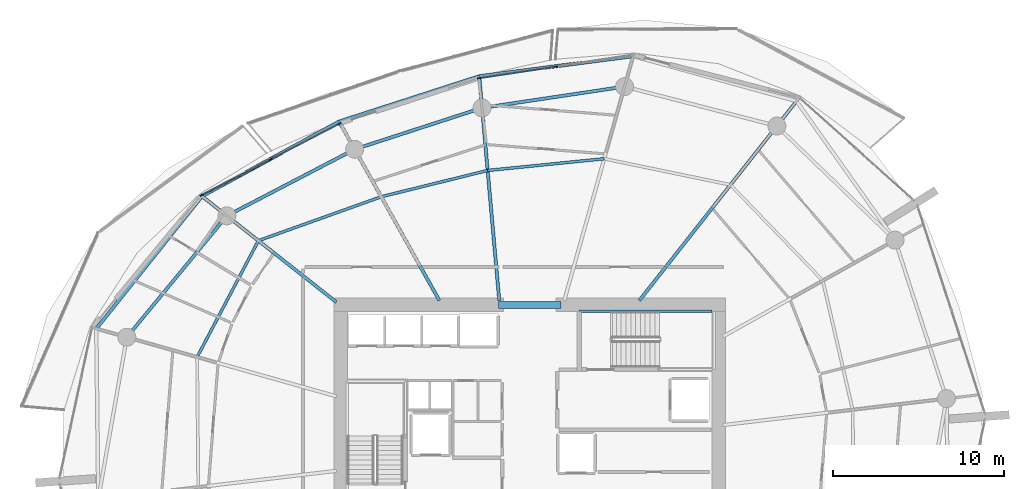
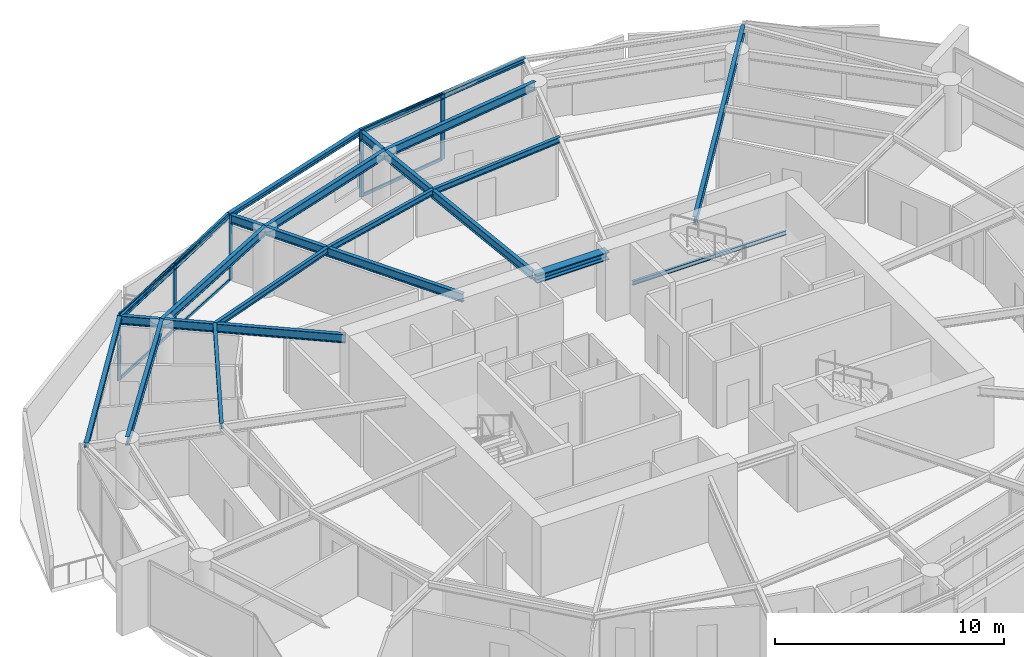
# One storey, part 8 of 20: 18 beams, 11 members, 2 elements without a shape of their own.
"""IFC4 building model written with IfcOpenShell, lengths in metres."""

from ifc_helpers import new_model, si_unit, direction, frame, origin, origin_2d, place, context, subcontext, project, spatial, rectangle, i_section, extrude, material, layer, layer_set, material_profile, profile_set, type_object, element, aggregate, save


model = new_model("IFC4")

# Units and contexts
model_context = context("Model", 3, precision=1e-05, world=origin(), true_north=direction((0.0, 1.0)))
body_context = subcontext(model_context, "Body", "Model", "MODEL_VIEW")
ifc_project = project(units=[si_unit("LENGTHUNIT", "METRE"), si_unit("AREAUNIT", "SQUARE_METRE"), si_unit("VOLUMEUNIT", "CUBIC_METRE"), si_unit("PLANEANGLEUNIT", "RADIAN"), si_unit("MASSUNIT", "GRAM", prefix="KILO")], contexts=[model_context])

# Site, building, storey
site_placement = place(None, origin())
site = spatial("IfcSite", under=ifc_project, at=site_placement, CompositionType="ELEMENT")
building_placement = place(site_placement, origin())
building = spatial("IfcBuilding", under=site, at=building_placement, Name="Kazma Halo Residences", CompositionType="ELEMENT")
storey_placement = place(building_placement, frame((0.0, 0.0, 169.050048828125)))
storey = spatial("IfcBuildingStorey", under=building, at=storey_placement, Name="L42", CompositionType="ELEMENT", Elevation=169.050048828125)

# Beams
ifc_material_1 = material(Name="Steel S355", Category="steel")
ifc_material_profile_1 = material_profile(ifc_material_1, i_section(OverallWidth=0.201904296875, OverallDepth=0.2470703125, WebThickness=0.00732421875, FlangeThickness=0.010986328125, FilletRadius=0.011962890625, at=origin_2d()), Name="W250x49.1")
ifc_profile_set_1 = profile_set([ifc_material_profile_1], Name="Steel S355")
beam_type_1 = type_object("IfcBeamType", Name="BM-BAL-CANT", PredefinedType="BEAM", material=ifc_profile_set_1)
beam_1_placement = place(storey_placement, frame((54.459228515625, 64.90234375, 3.37646484375), z_axis=(-0.991489228614, -0.130188745839, 0.0), x_axis=(0.130188745839, -0.991489228614, 0.0)))
element("IfcBeam", 1, at=beam_1_placement, inside=storey, type_object=beam_type_1, Name="L42 wave-balcony tie beam 03", PredefinedType="BEAM", context=body_context, shape_type="SweptSolid", body=[
    extrude(i_section(OverallWidth=0.201904296875, OverallDepth=0.2470703125, WebThickness=0.00732421875, FlangeThickness=0.010986328125, FilletRadius=0.011962890625, at=origin_2d()), origin(), (0.0, 0.0, 1.0), 9.053955078125),
])
beam_2_placement = place(storey_placement, frame((45.482421875, 63.7236328125, 3.37646484375), z_axis=(-0.951458235255, -0.307777885115, 0.0), x_axis=(0.307777885115, -0.951458235255, 0.0)))
element("IfcBeam", 2, at=beam_2_placement, inside=storey, type_object=beam_type_1, Name="L42 wave-balcony tie beam 04", PredefinedType="BEAM", context=body_context, shape_type="SweptSolid", body=[
    extrude(i_section(OverallWidth=0.201904296875, OverallDepth=0.2470703125, WebThickness=0.00732421875, FlangeThickness=0.010986328125, FilletRadius=0.011962890625, at=origin_2d()), origin(), (0.0, 0.0, 1.0), 8.585205078125),
])
beam_3_placement = place(storey_placement, frame((37.31396484375, 61.081298828125, 3.37646484375), z_axis=(-0.878572913315, -0.477608245312, 0.0), x_axis=(0.477608245312, -0.878572913315, 0.0)))
element("IfcBeam", 3, at=beam_3_placement, inside=storey, type_object=beam_type_1, Name="L42 wave-balcony tie beam 05", PredefinedType="BEAM", context=body_context, shape_type="SweptSolid", body=[
    extrude(i_section(OverallWidth=0.201904296875, OverallDepth=0.2470703125, WebThickness=0.00732421875, FlangeThickness=0.010986328125, FilletRadius=0.011962890625, at=origin_2d()), origin(), (0.0, 0.0, 1.0), 9.107177734375),
])
beam_4_placement = place(storey_placement, frame((29.312744140625, 56.731689453125, 3.37646484375), z_axis=(-0.623742400336, -0.781629975131, 0.0), x_axis=(0.781629975131, -0.623742400336, 0.0)))
element("IfcBeam", 4, at=beam_4_placement, inside=storey, type_object=beam_type_1, Name="L42 wave-balcony tie beam 06", PredefinedType="BEAM", context=body_context, shape_type="SweptSolid", body=[
    extrude(i_section(OverallWidth=0.201904296875, OverallDepth=0.2470703125, WebThickness=0.00732421875, FlangeThickness=0.010986328125, FilletRadius=0.011962890625, at=origin_2d()), origin(), (0.0, 0.0, 1.0), 9.880859375),
])
ifc_material_profile_2 = material_profile(ifc_material_1, i_section(OverallWidth=0.408935546875, OverallDepth=0.425048828125, WebThickness=0.03271484375, FlangeThickness=0.052490234375, FilletRadius=0.02001953125, at=origin_2d()), Name="W360x421")
ifc_profile_set_2 = profile_set([ifc_material_profile_2], Name="Steel S355")
beam_type_2 = type_object("IfcBeamType", Name="BM-CORE-W360H", PredefinedType="BEAM", material=ifc_profile_set_2)
beam_5_placement = place(storey_placement, frame((46.60009765625, 50.39990234375, 3.287353515625), z_axis=(1.0, 0.0, 0.0), x_axis=(0.0, 1.0, 0.0)))
element("IfcBeam", 5, at=beam_5_placement, inside=storey, type_object=beam_type_2, Name="L42 core coupling beam N", PredefinedType="BEAM", context=body_context, shape_type="SweptSolid", body=[
    extrude(i_section(OverallWidth=0.408935546875, OverallDepth=0.425048828125, WebThickness=0.03271484375, FlangeThickness=0.052490234375, FilletRadius=0.02001953125, at=origin_2d()), origin(), (0.0, 0.0, 1.0), 3.64990234375),
])
ifc_material_profile_3 = material_profile(ifc_material_1, i_section(OverallWidth=0.18994140625, OverallDepth=0.45703125, WebThickness=0.009033203125, FlangeThickness=0.014404296875, FilletRadius=0.01611328125, at=origin_2d()), Name="W460x74")
ifc_profile_set_3 = profile_set([ifc_material_profile_3], Name="Steel S355")
beam_type_3 = type_object("IfcBeamType", Name="BM-RAD-W460", PredefinedType="BEAM", material=ifc_profile_set_3)
beam_6_placement = place(storey_placement, frame((54.819091796875, 50.64990234375, 3.271484375), z_axis=(0.619094498239, 0.785316498139, 0.0), x_axis=(-0.785316498139, 0.619094498239, 0.0)))
element("IfcBeam", 6, at=beam_6_placement, inside=storey, type_object=beam_type_3, Name="L42 radial floor beam 02", PredefinedType="BEAM", context=body_context, shape_type="SweptSolid", body=[
    extrude(i_section(OverallWidth=0.18994140625, OverallDepth=0.45703125, WebThickness=0.009033203125, FlangeThickness=0.014404296875, FilletRadius=0.01611328125, at=origin_2d()), origin(), (0.0, 0.0, 1.0), 14.80517578125),
])
beam_7_placement = place(storey_placement, frame((46.64990234375, 50.64990234375, 3.271484375), z_axis=(-0.088945777727, 0.996036469525, 0.0), x_axis=(-0.996036469525, -0.088945777727, 0.0)))
element("IfcBeam", 7, at=beam_7_placement, inside=storey, type_object=beam_type_3, Name="L42 radial floor beam 04", PredefinedType="BEAM", context=body_context, shape_type="SweptSolid", body=[
    extrude(i_section(OverallWidth=0.18994140625, OverallDepth=0.45703125, WebThickness=0.009033203125, FlangeThickness=0.014404296875, FilletRadius=0.01611328125, at=origin_2d()), origin(), (0.0, 0.0, 1.0), 13.125732421875),
])
beam_8_placement = place(storey_placement, frame((43.15576171875, 50.64990234375, 3.271484375), z_axis=(-0.488617048735, 0.872498355119, 0.0), x_axis=(-0.872498355119, -0.488617048735, 0.0)))
element("IfcBeam", 8, at=beam_8_placement, inside=storey, type_object=beam_type_3, Name="L42 radial floor beam 05", PredefinedType="BEAM", context=body_context, shape_type="SweptSolid", body=[
    extrude(i_section(OverallWidth=0.18994140625, OverallDepth=0.45703125, WebThickness=0.009033203125, FlangeThickness=0.014404296875, FilletRadius=0.01611328125, at=origin_2d()), origin(), (0.0, 0.0, 1.0), 11.955810546875),
])
beam_9_placement = place(storey_placement, frame((37.14990234375, 50.553466796875, 3.271484375), z_axis=(-0.785321544409, 0.619088097032, 0.0), x_axis=(-0.619088097032, -0.785321544409, 0.0)))
element("IfcBeam", 9, at=beam_9_placement, inside=storey, type_object=beam_type_3, Name="L42 radial floor beam 06", PredefinedType="BEAM", context=body_context, shape_type="SweptSolid", body=[
    extrude(i_section(OverallWidth=0.18994140625, OverallDepth=0.45703125, WebThickness=0.009033203125, FlangeThickness=0.014404296875, FilletRadius=0.01611328125, at=origin_2d()), origin(), (0.0, 0.0, 1.0), 9.9794921875),
])
ifc_material_profile_4 = material_profile(ifc_material_1, i_section(OverallWidth=0.1650390625, OverallDepth=0.31005859375, WebThickness=0.005859375, FlangeThickness=0.009765625, FilletRadius=0.011962890625, at=origin_2d()), Name="W310x38.7")
ifc_profile_set_4 = profile_set([ifc_material_profile_4], Name="Steel S355")
beam_type_4 = type_object("IfcBeamType", Name="BM-SEC-W310B", PredefinedType="JOIST", material=ifc_profile_set_4)
beam_10_placement = place(storey_placement, frame((52.77099609375, 58.91650390625, 3.344970703125), z_axis=(-0.994979001613, -0.100083896557, 0.0), x_axis=(0.100083896557, -0.994979001613, 0.0)))
element("IfcBeam", 10, at=beam_10_placement, inside=storey, type_object=beam_type_4, Name="L42 circumferential floor joist 03", PredefinedType="JOIST", context=body_context, shape_type="SweptSolid", body=[
    extrude(i_section(OverallWidth=0.1650390625, OverallDepth=0.31005859375, WebThickness=0.005859375, FlangeThickness=0.009765625, FilletRadius=0.011962890625, at=origin_2d()), origin(), (0.0, 0.0, 1.0), 6.832763671875),
])
beam_11_placement = place(storey_placement, frame((45.97265625, 58.232666015625, 3.344970703125), z_axis=(-0.970830601663, -0.239766434004, 0.0), x_axis=(0.239766434004, -0.970830601663, 0.0)))
element("IfcBeam", 11, at=beam_11_placement, inside=storey, type_object=beam_type_4, Name="L42 circumferential floor joist 04", PredefinedType="JOIST", context=body_context, shape_type="SweptSolid", body=[
    extrude(i_section(OverallWidth=0.1650390625, OverallDepth=0.31005859375, WebThickness=0.005859375, FlangeThickness=0.009765625, FilletRadius=0.011962890625, at=origin_2d()), origin(), (0.0, 0.0, 1.0), 6.3916015625),
])
beam_12_placement = place(storey_placement, frame((39.767578125, 56.7001953125, 3.344970703125), z_axis=(-0.941534087973, -0.336917736525, 0.0), x_axis=(0.336917736525, -0.941534087973, 0.0)))
element("IfcBeam", 12, at=beam_12_placement, inside=storey, type_object=beam_type_4, Name="L42 circumferential floor joist 05", PredefinedType="JOIST", context=body_context, shape_type="SweptSolid", body=[
    extrude(i_section(OverallWidth=0.1650390625, OverallDepth=0.31005859375, WebThickness=0.005859375, FlangeThickness=0.009765625, FilletRadius=0.011962890625, at=origin_2d()), origin(), (0.0, 0.0, 1.0), 7.60791015625),
])
beam_13_placement = place(storey_placement, frame((32.6044921875, 54.136962890625, 3.344970703125), z_axis=(-0.466019257875, -0.884774576539, 0.0), x_axis=(0.884774576539, -0.466019257875, 0.0)))
element("IfcBeam", 13, at=beam_13_placement, inside=storey, type_object=beam_type_4, Name="L42 circumferential floor joist 06", PredefinedType="JOIST", context=body_context, shape_type="SweptSolid", body=[
    extrude(i_section(OverallWidth=0.1650390625, OverallDepth=0.31005859375, WebThickness=0.005859375, FlangeThickness=0.009765625, FilletRadius=0.011962890625, at=origin_2d()), origin(), (0.0, 0.0, 1.0), 7.670654296875),
])
ifc_material_profile_5 = material_profile(ifc_material_1, i_section(OverallWidth=0.18994140625, OverallDepth=0.45703125, WebThickness=0.009033203125, FlangeThickness=0.014404296875, FilletRadius=0.01611328125, at=origin_2d()), Name="W460x74")
ifc_profile_set_5 = profile_set([ifc_material_profile_5], Name="Steel S355")
beam_type_5 = type_object("IfcBeamType", Name="BM-SPN-W460", PredefinedType="BEAM", material=ifc_profile_set_5)
beam_14_placement = place(storey_placement, frame((53.95703125, 63.121826171875, 3.271484375), z_axis=(-0.989037147603, -0.147666924735, 0.0), x_axis=(0.147666924735, -0.989037147603, 0.0)))
element("IfcBeam", 14, at=beam_14_placement, inside=storey, type_object=beam_type_5, Name="L42 perimeter ring beam 03", PredefinedType="BEAM", context=body_context, shape_type="SweptSolid", body=[
    extrude(i_section(OverallWidth=0.18994140625, OverallDepth=0.45703125, WebThickness=0.009033203125, FlangeThickness=0.014404296875, FilletRadius=0.01611328125, at=origin_2d()), origin(), (0.0, 0.0, 1.0), 8.402099609375),
])
beam_15_placement = place(storey_placement, frame((45.64697265625, 61.881103515625, 3.271484375), z_axis=(-0.95105634578, -0.309017519167, 0.0), x_axis=(0.309017519167, -0.95105634578, 0.0)))
element("IfcBeam", 15, at=beam_15_placement, inside=storey, type_object=beam_type_5, Name="L42 perimeter ring beam 04", PredefinedType="BEAM", context=body_context, shape_type="SweptSolid", body=[
    extrude(i_section(OverallWidth=0.18994140625, OverallDepth=0.45703125, WebThickness=0.009033203125, FlangeThickness=0.014404296875, FilletRadius=0.01611328125, at=origin_2d()), origin(), (0.0, 0.0, 1.0), 7.811279296875),
])
beam_16_placement = place(storey_placement, frame((38.218017578125, 59.46728515625, 3.271484375), z_axis=(-0.886943099021, -0.461878706046, 0.0), x_axis=(0.461878706046, -0.886943099021, 0.0)))
element("IfcBeam", 16, at=beam_16_placement, inside=storey, type_object=beam_type_5, Name="L42 perimeter ring beam 05", PredefinedType="BEAM", context=body_context, shape_type="SweptSolid", body=[
    extrude(i_section(OverallWidth=0.18994140625, OverallDepth=0.45703125, WebThickness=0.009033203125, FlangeThickness=0.014404296875, FilletRadius=0.01611328125, at=origin_2d()), origin(), (0.0, 0.0, 1.0), 8.40234375),
])
beam_17_placement = place(storey_placement, frame((30.765625, 55.58642578125, 3.271484375), z_axis=(-0.636018723515, -0.771673624882, 0.0), x_axis=(0.771673624882, -0.636018723515, 0.0)))
element("IfcBeam", 17, at=beam_17_placement, inside=storey, type_object=beam_type_5, Name="L42 perimeter ring beam 06", PredefinedType="BEAM", context=body_context, shape_type="SweptSolid", body=[
    extrude(i_section(OverallWidth=0.18994140625, OverallDepth=0.45703125, WebThickness=0.009033203125, FlangeThickness=0.014404296875, FilletRadius=0.01611328125, at=origin_2d()), origin(), (0.0, 0.0, 1.0), 9.175048828125),
])
ifc_material_profile_6 = material_profile(ifc_material_1, i_section(OverallWidth=0.133056640625, OverallDepth=0.20703125, WebThickness=0.005859375, FlangeThickness=0.00830078125, FilletRadius=0.010009765625, at=origin_2d()), Name="W200x26.6")
ifc_profile_set_6 = profile_set([ifc_material_profile_6], Name="Steel S355")
beam_type_6 = type_object("IfcBeamType", Name="BM-TRIM-W200", PredefinedType="BEAM", material=ifc_profile_set_6)
beam_18_placement = place(storey_placement, frame((51.31005859375, 50.02001953125, 1.570068359375), z_axis=(1.0, 0.0, 0.0), x_axis=(0.0, 1.0, 0.0)))
element("IfcBeam", 18, at=beam_18_placement, inside=storey, type_object=beam_type_6, Name="L42 ST-02 landing north wall ledger", PredefinedType="BEAM", context=body_context, shape_type="SweptSolid", body=[
    extrude(i_section(OverallWidth=0.133056640625, OverallDepth=0.20703125, WebThickness=0.005859375, FlangeThickness=0.00830078125, FilletRadius=0.010009765625, at=origin_2d()), origin(), (0.0, 0.0, 1.0), 7.760009765625),
])

# Curtain wall, members
ifc_material_2 = material(Name="Aluminium AW-6063 T6 and Triple-Silver Low-E Glass", Category="aluminium")
ifc_layer = layer(ifc_material_2, 0.219970703125)
ifc_layer_set = layer_set([ifc_layer], Name="Aluminium AW-6063 T6 and Triple-Silver Low-E Glass")
curtain_wall_type = type_object("IfcCurtainWallType", Name="CW-SYS-4", PredefinedType="NOTDEFINED", material=ifc_layer_set)
curtain_wall_1_placement = place(storey_placement, origin())
curtain_wall_1 = element("IfcCurtainWall", 19, at=curtain_wall_1_placement, inside=storey, type_object=curtain_wall_type, Name="L42 unitised curtain wall B03", PredefinedType="NOTDEFINED")
ifc_material_3 = material(Name="Aluminium AW-6063 T6", Category="aluminium")
ifc_material_profile_7 = material_profile(ifc_material_3, rectangle(XDim=0.074951171875, YDim=0.219970703125, at=origin_2d()), Name="CWM-75x220")
ifc_profile_set_7 = profile_set([ifc_material_profile_7], Name="Aluminium AW-6063 T6")
member_type_1 = type_object("IfcMemberType", Name="CW-SYS-4-MUL", PredefinedType="MULLION", material=ifc_profile_set_7)
member_1_placement = place(storey_placement, frame((49.960205078125, 64.28857421875, 0.0), z_axis=(0.0, 0.0, 1.0), x_axis=(0.148821022686, -0.988864148004, 0.0)))
member_1 = element("IfcMember", 20, at=member_1_placement, type_object=member_type_1, Name="CWS-4 mullion 2", PredefinedType="MULLION", context=body_context, shape_type="SweptSolid", body=[
    extrude(rectangle(XDim=0.074951171875, YDim=0.219970703125, at=origin_2d()), origin(), (0.0, 0.0, 1.0), 3.5),
])
member_2_placement = place(storey_placement, frame((45.4794921875, 63.6142578125, 0.0), z_axis=(0.0, 0.0, 1.0), x_axis=(0.148821022686, -0.988864148004, 0.0)))
member_2 = element("IfcMember", 21, at=member_2_placement, type_object=member_type_1, Name="CWS-4 mullion 3", PredefinedType="MULLION", context=body_context, shape_type="SweptSolid", body=[
    extrude(rectangle(XDim=0.074951171875, YDim=0.219970703125, at=origin_2d()), origin(), (0.0, 0.0, 1.0), 3.5),
])

curtain_wall_2_placement = place(storey_placement, origin())
curtain_wall_2 = element("IfcCurtainWall", 22, at=curtain_wall_2_placement, inside=storey, type_object=curtain_wall_type, Name="L42 unitised curtain wall B05", PredefinedType="NOTDEFINED")
member_3_placement = place(storey_placement, frame((37.33447265625, 60.9677734375, 0.0), z_axis=(0.0, 0.0, 1.0), x_axis=(0.460837484552, -0.887484542306, 0.0)))
member_3 = element("IfcMember", 23, at=member_3_placement, type_object=member_type_1, Name="CWS-4 mullion 1", PredefinedType="MULLION", context=body_context, shape_type="SweptSolid", body=[
    extrude(rectangle(XDim=0.074951171875, YDim=0.219970703125, at=origin_2d()), origin(), (0.0, 0.0, 1.0), 3.5),
])
member_4_placement = place(storey_placement, frame((33.313232421875, 58.879638671875, 0.0), z_axis=(0.0, 0.0, 1.0), x_axis=(0.460837484552, -0.887484542306, 0.0)))
member_4 = element("IfcMember", 24, at=member_4_placement, type_object=member_type_1, Name="CWS-4 mullion 2", PredefinedType="MULLION", context=body_context, shape_type="SweptSolid", body=[
    extrude(rectangle(XDim=0.074951171875, YDim=0.219970703125, at=origin_2d()), origin(), (0.0, 0.0, 1.0), 3.5),
])
member_5_placement = place(storey_placement, frame((29.2919921875, 56.791748046875, 0.0), z_axis=(0.0, 0.0, 1.0), x_axis=(0.460837484552, -0.887484542306, 0.0)))
member_5 = element("IfcMember", 25, at=member_5_placement, type_object=member_type_1, Name="CWS-4 mullion 3", PredefinedType="MULLION", context=body_context, shape_type="SweptSolid", body=[
    extrude(rectangle(XDim=0.074951171875, YDim=0.219970703125, at=origin_2d()), origin(), (0.0, 0.0, 1.0), 3.5),
])

# Member
ifc_material_profile_8 = material_profile(ifc_material_3, rectangle(XDim=0.074951171875, YDim=0.1650390625, at=origin_2d()), Name="CWT-75x165")
ifc_profile_set_8 = profile_set([ifc_material_profile_8], Name="Aluminium AW-6063 T6")
member_type_2 = type_object("IfcMemberType", Name="CW-SYS-4-TRN", PredefinedType="USERDEFINED", material=ifc_profile_set_8)
member_6_placement = place(storey_placement, frame((49.923095703125, 64.282958984375, 0.037353515625), z_axis=(-0.988866721231, -0.148803923478, 0.0), x_axis=(0.148803923478, -0.988866721231, 0.0)))
member_6 = element("IfcMember", 26, at=member_6_placement, type_object=member_type_2, Name="CWS-4 transom 2.1", ObjectType="TRANSOM", PredefinedType="USERDEFINED", context=body_context, shape_type="SweptSolid", body=[
    extrude(rectangle(XDim=0.074951171875, YDim=0.1650390625, at=origin_2d()), origin(), (0.0, 0.0, 1.0), 4.4560546875),
])

member_7_placement = place(storey_placement, frame((49.923095703125, 64.282958984375, 3.46240234375), z_axis=(-0.988866721231, -0.148803923478, 0.0), x_axis=(0.148803923478, -0.988866721231, 0.0)))
member_7 = element("IfcMember", 27, at=member_7_placement, type_object=member_type_2, Name="CWS-4 transom 2.2", ObjectType="TRANSOM", PredefinedType="USERDEFINED", context=body_context, shape_type="SweptSolid", body=[
    extrude(rectangle(XDim=0.074951171875, YDim=0.1650390625, at=origin_2d()), origin(), (0.0, 0.0, 1.0), 4.4560546875),
])

aggregate(curtain_wall_1, [member_1, member_2, member_6, member_7])

member_8_placement = place(storey_placement, frame((37.30126953125, 60.950439453125, 0.037353515625), z_axis=(-0.887484872803, -0.460836848077, 0.0), x_axis=(0.460836848077, -0.887484872803, 0.0)))
member_8 = element("IfcMember", 28, at=member_8_placement, type_object=member_type_2, Name="CWS-4 transom 1.1", ObjectType="TRANSOM", PredefinedType="USERDEFINED", context=body_context, shape_type="SweptSolid", body=[
    extrude(rectangle(XDim=0.074951171875, YDim=0.1650390625, at=origin_2d()), origin(), (0.0, 0.0, 1.0), 4.4560546875),
])

member_9_placement = place(storey_placement, frame((37.30126953125, 60.950439453125, 3.46240234375), z_axis=(-0.887484872803, -0.460836848077, 0.0), x_axis=(0.460836848077, -0.887484872803, 0.0)))
member_9 = element("IfcMember", 29, at=member_9_placement, type_object=member_type_2, Name="CWS-4 transom 1.2", ObjectType="TRANSOM", PredefinedType="USERDEFINED", context=body_context, shape_type="SweptSolid", body=[
    extrude(rectangle(XDim=0.074951171875, YDim=0.1650390625, at=origin_2d()), origin(), (0.0, 0.0, 1.0), 4.4560546875),
])

member_10_placement = place(storey_placement, frame((33.280029296875, 58.862548828125, 0.037353515625), z_axis=(-0.887484872803, -0.460836848077, 0.0), x_axis=(0.460836848077, -0.887484872803, 0.0)))
member_10 = element("IfcMember", 30, at=member_10_placement, type_object=member_type_2, Name="CWS-4 transom 2.1", ObjectType="TRANSOM", PredefinedType="USERDEFINED", context=body_context, shape_type="SweptSolid", body=[
    extrude(rectangle(XDim=0.074951171875, YDim=0.1650390625, at=origin_2d()), origin(), (0.0, 0.0, 1.0), 4.4560546875),
])

member_11_placement = place(storey_placement, frame((33.280029296875, 58.862548828125, 3.46240234375), z_axis=(-0.887484872803, -0.460836848077, 0.0), x_axis=(0.460836848077, -0.887484872803, 0.0)))
member_11 = element("IfcMember", 31, at=member_11_placement, type_object=member_type_2, Name="CWS-4 transom 2.2", ObjectType="TRANSOM", PredefinedType="USERDEFINED", context=body_context, shape_type="SweptSolid", body=[
    extrude(rectangle(XDim=0.074951171875, YDim=0.1650390625, at=origin_2d()), origin(), (0.0, 0.0, 1.0), 4.4560546875),
])

aggregate(curtain_wall_2, [member_3, member_4, member_5, member_8, member_9, member_10, member_11])

save(model, "model.ifc")
